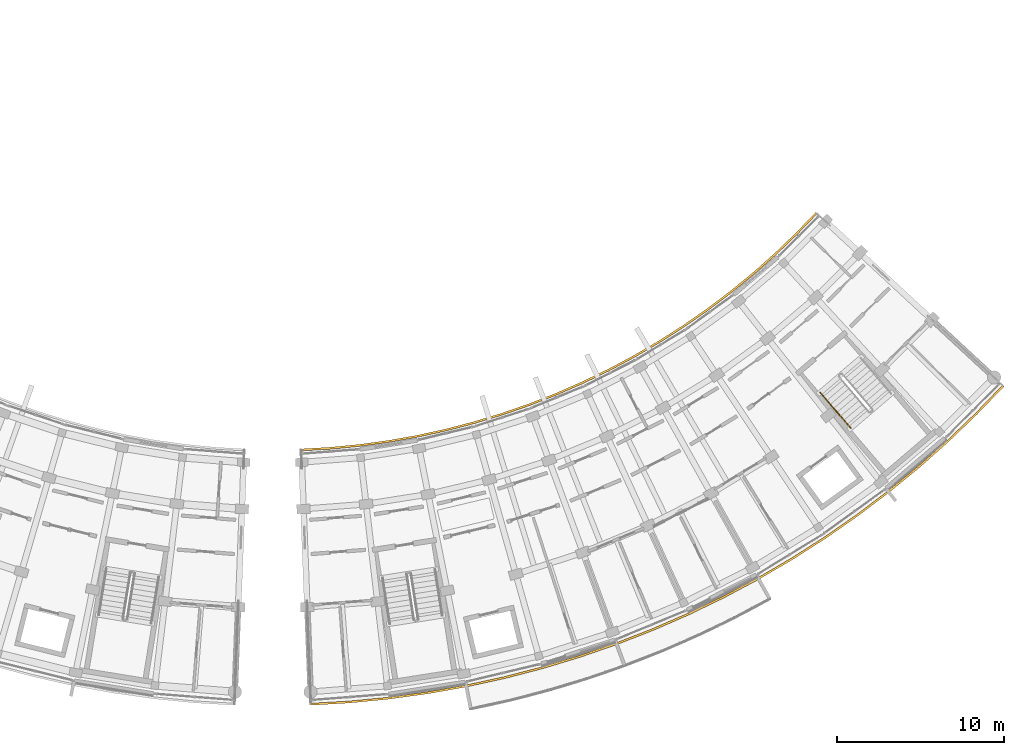
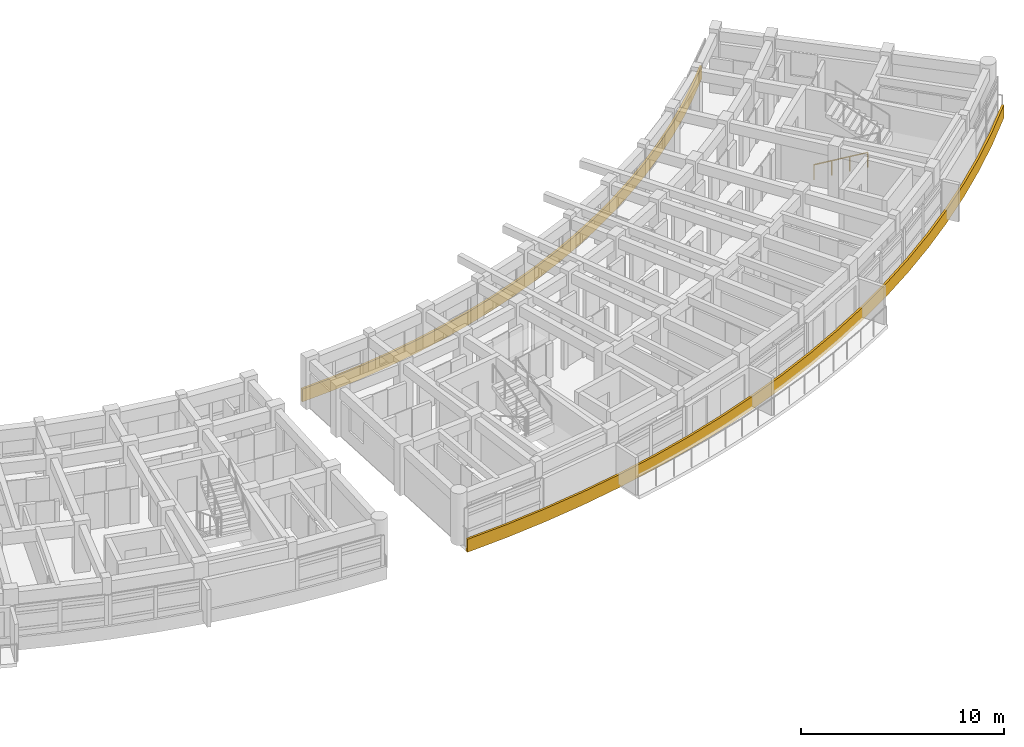
# One storey, part 54 of 55: 3 railings.
"""IFC4 building model written with IfcOpenShell, lengths in metres."""

from ifc_helpers import new_model, si_unit, direction, frame, origin, origin_2d, place, context, subcontext, project, spatial, polyline, circle, outline, extrude, material, type_object, element, save


model = new_model("IFC4")

# Units and contexts
model_context = context("Model", 3, precision=1e-05, world=origin(), true_north=direction((0.0, 1.0)))
body_context = subcontext(model_context, "Body", "Model", "MODEL_VIEW")
ifc_project = project(units=[si_unit("LENGTHUNIT", "METRE"), si_unit("AREAUNIT", "SQUARE_METRE"), si_unit("VOLUMEUNIT", "CUBIC_METRE"), si_unit("PLANEANGLEUNIT", "RADIAN"), si_unit("MASSUNIT", "GRAM", prefix="KILO")], contexts=[model_context])

# Site, building, storey
site_placement = place(None, origin())
site = spatial("IfcSite", under=ifc_project, at=site_placement, CompositionType="ELEMENT")
building_placement = place(site_placement, origin())
building = spatial("IfcBuilding", under=site, at=building_placement, Name="Zimvara Arc Housing Community", CompositionType="ELEMENT")
storey_placement = place(building_placement, frame((0.0, 0.0, 14.300048828125)))
storey = spatial("IfcBuildingStorey", under=building, at=storey_placement, Name="L04", CompositionType="ELEMENT", Elevation=14.300048828125)

# Railings
ifc_material_1 = material(Name="Pale-Gold Anodised Aluminium AW-6063", Category="aluminium")
railing_type_1 = type_object("IfcRailingType", Name="RLG-FAS-780", PredefinedType="BALUSTRADE", material=ifc_material_1)
railing_1_placement = place(storey_placement, frame((0.0, 0.0, -0.219970703125)))
element("IfcRailing", 1, at=railing_1_placement, inside=storey, type_object=railing_type_1, Name="rlg:blkD:L04:gold_out", PredefinedType="BALUSTRADE", context=body_context, shape_type="SweptSolid", body=[
    extrude(outline(polyline([(128.27099609375, 50.223876953125), (130.610595703125, 50.35986328125), (132.94287109375, 50.587646484375), (135.2646484375, 50.90673828125), (137.572021484375, 51.316650390625), (139.861328125, 51.81689453125), (142.12939453125, 52.406494140625), (144.37255859375, 53.0849609375), (146.58740234375, 53.850830078125), (148.7705078125, 54.702880859375), (150.918212890625, 55.64013671875), (153.02783203125, 56.6611328125), (155.095458984375, 57.763916015625), (157.118408203125, 58.947265625), (159.093017578125, 60.208984375), (161.016845703125, 61.54736328125), (162.88671875, 62.9599609375), (164.699462890625, 64.445068359375), (166.45263671875, 66.000244140625), (168.143310546875, 67.623046875), (169.76904296875, 69.31103515625), (169.680908203125, 69.392578125), (168.05859375, 67.7080078125), (166.37109375, 66.08837890625), (164.62158203125, 64.536376953125), (162.8125, 63.054443359375), (160.946533203125, 61.64453125), (159.026611328125, 60.308837890625), (157.0556640625, 59.049560546875), (155.036865234375, 57.86865234375), (152.973388671875, 56.76806640625), (150.8681640625, 55.749267578125), (148.724609375, 54.81396484375), (146.5458984375, 53.96337890625), (144.335693359375, 53.198974609375), (142.096923828125, 52.52197265625), (139.83349609375, 51.93359375), (137.548583984375, 51.434326171875), (135.245849609375, 51.025146484375), (132.928955078125, 50.706787109375), (130.601318359375, 50.4794921875), (128.266357421875, 50.343994140625), (128.27099609375, 50.223876953125)])), origin(), (0.0, 0.0, 1.0), 0.780029296875),
])
railing_2_placement = place(storey_placement, frame((0.0, 0.0, -0.219970703125)))
element("IfcRailing", 2, at=railing_2_placement, inside=storey, type_object=railing_type_1, Name="rlg:blkD:L04:gold_in", PredefinedType="BALUSTRADE", context=body_context, shape_type="SweptSolid", body=[
    extrude(outline(polyline([(127.68603515625, 65.45263671875), (129.427978515625, 65.553955078125), (131.164794921875, 65.723388671875), (132.8935546875, 65.961181640625), (134.61181640625, 66.266357421875), (136.316650390625, 66.638916015625), (138.00537109375, 67.077880859375), (139.67578125, 67.5830078125), (141.324951171875, 68.1533203125), (142.95068359375, 68.7880859375), (144.550048828125, 69.48583984375), (146.120849609375, 70.24609375), (147.660400390625, 71.0673828125), (149.166748046875, 71.948486328125), (150.63720703125, 72.887939453125), (152.06982421875, 73.884521484375), (153.462158203125, 74.9365234375), (154.81201171875, 76.04248046875), (156.117431640625, 77.200439453125), (157.37646484375, 78.40869140625), (158.5869140625, 79.66552734375), (158.4990234375, 79.7470703125), (157.29150390625, 78.49365234375), (156.0361328125, 77.28857421875), (154.734130859375, 76.1337890625), (153.387939453125, 75.03076171875), (151.999267578125, 73.981689453125), (150.57080078125, 72.98779296875), (149.104248046875, 72.05078125), (147.60205078125, 71.172119140625), (146.06640625, 70.35302734375), (144.499755859375, 69.594970703125), (142.90478515625, 68.89892578125), (141.28369140625, 68.265869140625), (139.638916015625, 67.697265625), (137.972900390625, 67.193603515625), (136.28857421875, 66.755615234375), (134.58837890625, 66.384033203125), (132.875, 66.07958984375), (131.15087890625, 65.8427734375), (129.418701171875, 65.673583984375), (127.681396484375, 65.57275390625), (127.68603515625, 65.45263671875)])), origin(), (0.0, 0.0, 1.0), 0.780029296875),
])
ifc_material_2 = material(Name="Anodised Aluminium AW-6063", Category="aluminium")
railing_type_2 = type_object("IfcRailingType", Name="RLG-HND-900", PredefinedType="HANDRAIL", material=ifc_material_2)
railing_3_placement = place(storey_placement, frame((158.766357421875, 68.953369140625, 0.155029296875)))
element("IfcRailing", 3, at=railing_3_placement, inside=storey, type_object=railing_type_2, Name="L04 ST-D2 stair handrail 1", PredefinedType="HANDRAIL", context=body_context, shape_type="SweptSolid", body=[
    extrude(circle(Radius=0.02392578125, at=origin_2d()), frame((0.0, 0.0, 0.8759765625), z_axis=(0.581041388364, -0.681489443978, 0.444930379672), x_axis=(0.760960200111, 0.648798561841, 0.0)), (0.0, 0.0, 1.0), 3.13525390625),
    extrude(circle(Radius=0.02099609375, at=origin_2d()), origin(), (0.0, 0.0, 1.0), 0.851806640625),
    extrude(circle(Radius=0.02099609375, at=origin_2d()), frame((0.607177734375, -0.712158203125, 0.465087890625)), (0.0, 0.0, 1.0), 0.851806640625),
    extrude(circle(Radius=0.02099609375, at=origin_2d()), frame((1.214599609375, -1.424560546875, 0.929931640625)), (0.0, 0.0, 1.0), 0.851806640625),
    extrude(circle(Radius=0.02099609375, at=origin_2d()), frame((1.82177734375, -2.13671875, 1.39501953125)), (0.0, 0.0, 1.0), 0.851806640625),
])

save(model, "model.ifc")
